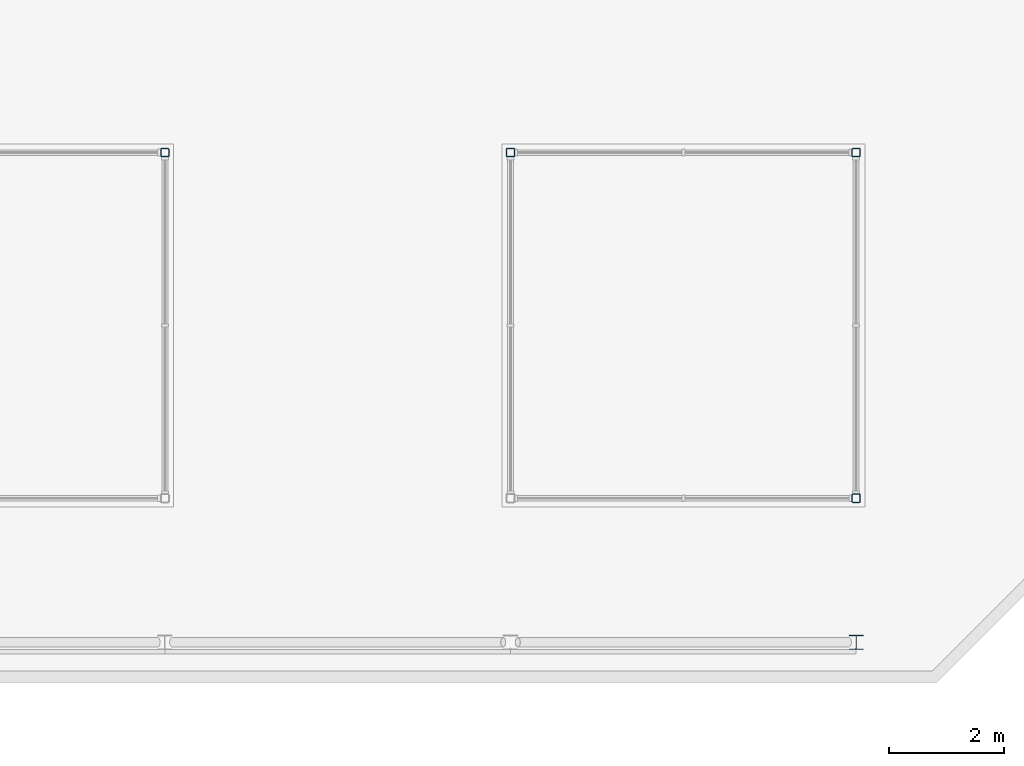
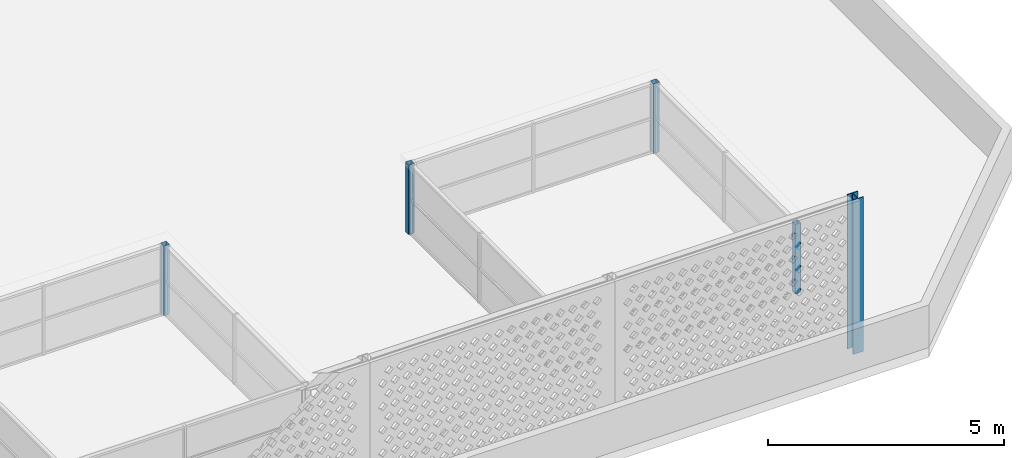
# One storey, part 2 of 18: 5 columns.
"""IFC4 building model written with IfcOpenShell, lengths in metres."""

from ifc_helpers import new_model, si_unit, direction, frame, origin, origin_2d, place, context, subcontext, project, spatial, hollow_rectangle, i_section, extrude, source, transform, mapped, material, material_profile, profile_set, type_object, element, save


model = new_model("IFC4")

# Units and contexts
model_context = context("Model", 3, precision=1e-05, world=origin(), true_north=direction((0.0, 1.0)))
body_context = subcontext(model_context, "Body", "Model", "MODEL_VIEW")
ifc_project = project(units=[si_unit("LENGTHUNIT", "METRE"), si_unit("AREAUNIT", "SQUARE_METRE"), si_unit("VOLUMEUNIT", "CUBIC_METRE"), si_unit("PLANEANGLEUNIT", "RADIAN"), si_unit("MASSUNIT", "GRAM", prefix="KILO")], contexts=[model_context])

# Site, building, storey
site_placement = place(None, origin())
site = spatial("IfcSite", under=ifc_project, at=site_placement, CompositionType="ELEMENT")
building_placement = place(site_placement, origin())
building = spatial("IfcBuilding", under=site, at=building_placement, Name="Poui Terraces", CompositionType="ELEMENT")
storey_placement = place(building_placement, frame((0.0, 0.0, 285.60009765625)))
storey = spatial("IfcBuildingStorey", under=building, at=storey_placement, Name="L79 CROWN", CompositionType="ELEMENT", Elevation=285.60009765625)

# Columns
ifc_material_1 = material(Name="Steel Grade 300 MPa", Category="steel")
ifc_material_profile_1 = material_profile(ifc_material_1, i_section(OverallWidth=0.25390625, OverallDepth=0.25390625, WebThickness=0.008544921875, FlangeThickness=0.01416015625, FilletRadius=0.013916015625, at=origin_2d()), Name="250UC72.9")
ifc_profile_set_1 = profile_set([ifc_material_profile_1], Name="Steel Grade 300 MPa")
column_type_1 = type_object("IfcColumnType", Name="SCREEN FRAME POST 250UC72.9", PredefinedType="COLUMN", material=ifc_profile_set_1)
shared_shape_1 = source(origin(), body_context, "Body", "SweptSolid", [
    extrude(i_section(OverallWidth=0.25390625, OverallDepth=0.25390625, WebThickness=0.008544921875, FlangeThickness=0.01416015625, FilletRadius=0.013916015625, at=origin_2d()), origin(), (0.0, 0.0, 1.0), 4.0),
])
column_placement = place(storey_placement, frame((78.0, 0.5, 0.0), z_axis=(0.0, 0.0, 1.0), x_axis=(1.0, 0.0, 0.0)))
element("IfcColumn", 1, at=column_placement, inside=storey, type_object=column_type_1, Name="SCREEN FRAME POST S14", PredefinedType="COLUMN", context=body_context, shape_type="MappedRepresentation", body=[
    mapped(shared_shape_1, transform((0.0, 0.0, 0.0))),
])
ifc_material_2 = material(Name="Steel Grade 350 MPa", Category="steel")
ifc_material_profile_2 = material_profile(ifc_material_2, hollow_rectangle(XDim=0.14990234375, YDim=0.14990234375, WallThickness=0.009033203125, InnerFilletRadius=0.013427734375, OuterFilletRadius=0.0224609375, at=origin_2d()), Name="150x150x9.0 SHS")
ifc_profile_set_2 = profile_set([ifc_material_profile_2], Name="Steel Grade 350 MPa")
column_type_2 = type_object("IfcColumnType", Name="LANTERN POST 150x150x9.0 SHS", PredefinedType="COLUMN", material=ifc_profile_set_2)
shared_shape_2 = source(origin(), body_context, "Body", "SweptSolid", [
    extrude(hollow_rectangle(XDim=0.14990234375, YDim=0.14990234375, WallThickness=0.009033203125, InnerFilletRadius=0.013427734375, OuterFilletRadius=0.0224609375, at=origin_2d()), origin(), (0.0, 0.0, 1.0), 1.7998046875),
])
for number, where, z_axis, x_axis, name in (
    (2, (66.0, 9.0, 0.0), (0.0, 0.0, 1.0), (1.0, 0.0, 0.0), "LANTERN POST"),
    (3, (78.0, 3.0, 0.0), (0.0, 0.0, 1.0), (1.0, 0.0, 0.0), "LANTERN POST"),
    (4, (78.0, 9.0, 0.0), (0.0, 0.0, 1.0), (1.0, 0.0, 0.0), "LANTERN POST"),
    (5, (72.0, 9.0, 0.0), (0.0, 0.0, 1.0), (1.0, 0.0, 0.0), "LANTERN POST"),
):
    element("IfcColumn", number, at=place(storey_placement, frame(where, z_axis=z_axis, x_axis=x_axis)), inside=storey, type_object=column_type_2, Name=name, PredefinedType="COLUMN", context=body_context, shape_type="MappedRepresentation", body=[
        mapped(shared_shape_2, transform((0.0, 0.0, 0.0))),
    ])

save(model, "model.ifc")
